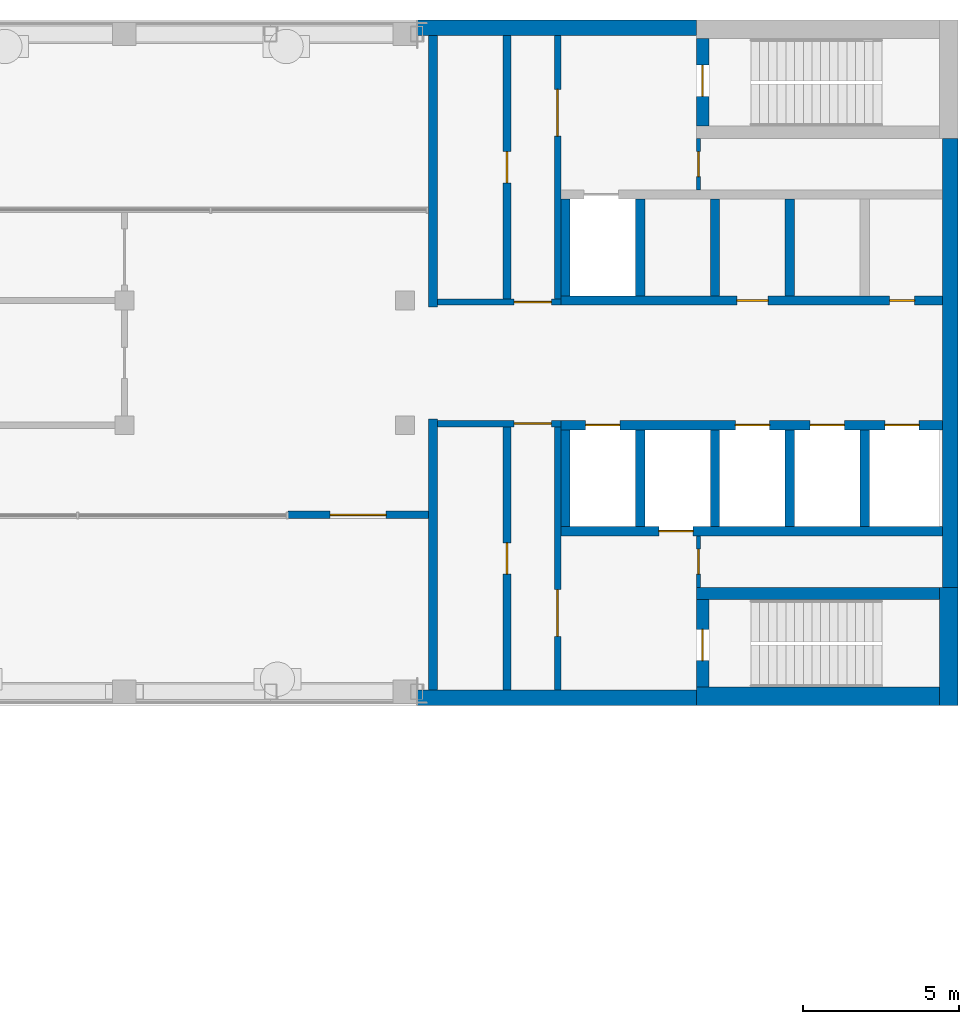
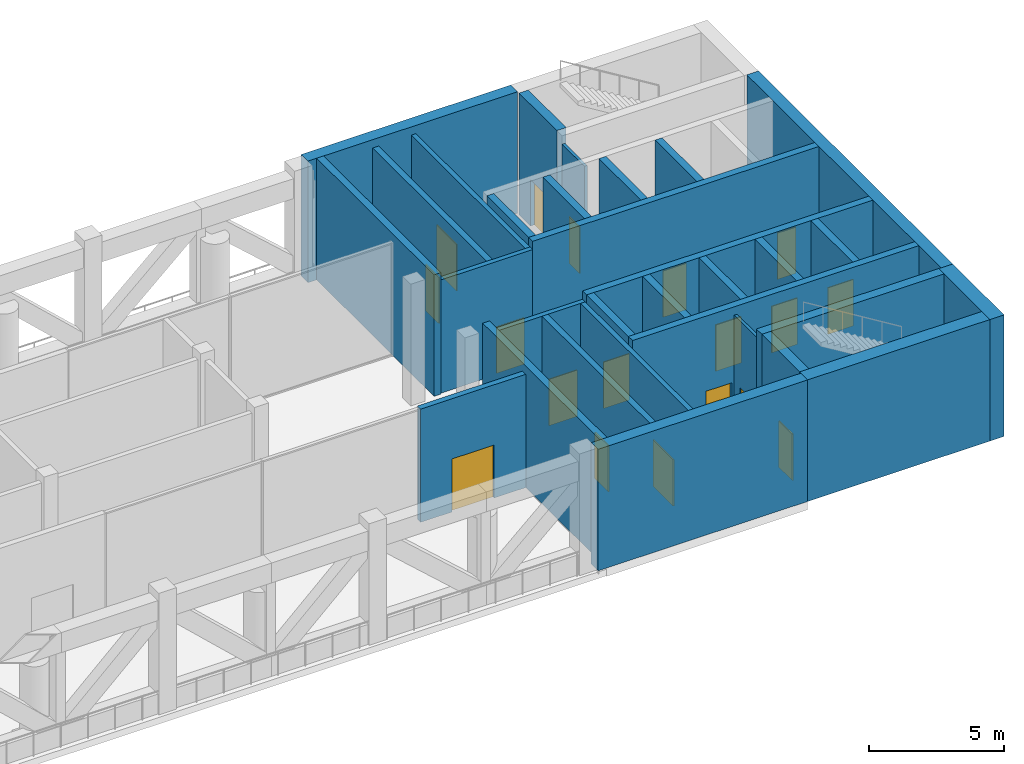
# One storey, part 9 of 14: 31 walls, 18 doors, 18 openings.
"""IFC4 building model written with IfcOpenShell, lengths in metres."""

from ifc_helpers import new_model, si_unit, direction, frame, frame_2d, origin, place, context, subcontext, project, spatial, rectangle, extrude, material, layer, layer_set, type_object, element, fill, save


model = new_model("IFC4")

# Units and contexts
model_context = context("Model", 3, precision=1e-05, world=origin(), true_north=direction((0.0, 1.0)))
body_context = subcontext(model_context, "Body", "Model", "MODEL_VIEW")
ifc_project = project(units=[si_unit("LENGTHUNIT", "METRE"), si_unit("AREAUNIT", "SQUARE_METRE"), si_unit("VOLUMEUNIT", "CUBIC_METRE"), si_unit("PLANEANGLEUNIT", "RADIAN"), si_unit("MASSUNIT", "GRAM", prefix="KILO")], contexts=[model_context])

# Site, building, storey
site_placement = place(None, origin())
site = spatial("IfcSite", under=ifc_project, at=site_placement, CompositionType="ELEMENT")
building_placement = place(site_placement, origin())
building = spatial("IfcBuilding", under=site, at=building_placement, Name="Skarvind Civic Tower", CompositionType="ELEMENT")
storey_placement = place(building_placement, frame((0.0, 0.0, 236.0)))
storey = spatial("IfcBuildingStorey", under=building, at=storey_placement, Name="L56", CompositionType="ELEMENT", Elevation=236.0)

# Wall, opening, door
ifc_material_1 = material(Name="Fire-rated masonry partition", Category="masonry")
ifc_layer_1 = layer(ifc_material_1, 0.199951171875)
ifc_layer_set_1 = layer_set([ifc_layer_1], Name="Core enclosure wall 200")
wall_type_1 = type_object("IfcWallType", Name="Core enclosure wall 200", PredefinedType="PARTITIONING", material=ifc_layer_set_1)
wall_1_placement = place(storey_placement, frame((95.25, 126.050048828125, 0.0), z_axis=(0.0, 0.0, 1.0), x_axis=(-1.0, 0.0, 0.0)))
wall_1 = element("IfcWall", 1, at=wall_1_placement, inside=storey, type_object=wall_type_1, Name="Core wall C1", PredefinedType="PARTITIONING", context=body_context, shape_type="SweptSolid", body=[
    extrude(rectangle(XDim=3.949951171875, YDim=0.199951171875, at=frame_2d((1.97509765625, 0.0))), origin(), (0.0, 0.0, 1.0), 5.125),
])
opening_1_placement = place(wall_1_placement, frame((0.300048828125, 0.0, 0.0)))
opening_1 = element("IfcOpeningElement", 2, at=opening_1_placement, cuts=wall_1, Name="Opening D-L56-C1-07", PredefinedType="OPENING", context=body_context, shape_type="SweptSolid", body=[
    extrude(rectangle(XDim=1.199951171875, YDim=2.10009765625, at=frame_2d((0.60009765625, 1.050048828125))), frame((0.0, 0.10986328125, 0.0), z_axis=(0.0, -1.0, 0.0), x_axis=(1.0, 0.0, 0.0)), (0.0, 0.0, 1.0), 0.219970703125),
])
ifc_material_2 = material(Name="Fire-rated steel door", Category="steel")
door_type_1 = type_object("IfcDoorType", Name="Core lobby door 1200", OperationType="NOTDEFINED", PredefinedType="DOOR", material=ifc_material_2)
door_1_placement = place(opening_1_placement, origin())
door_1 = element("IfcDoor", 3, at=door_1_placement, inside=storey, type_object=door_type_1, Name="Fire door", OperationType="DOUBLE_DOOR_SINGLE_SWING", OverallHeight=2.10009765625, OverallWidth=1.199951171875, PredefinedType="DOOR", context=body_context, shape_type="SweptSolid", body=[
    extrude(rectangle(XDim=1.199951171875, YDim=2.10009765625, at=frame_2d((0.60009765625, 1.050048828125))), frame((0.0, 0.02490234375, 0.0), z_axis=(0.0, -1.0, 0.0), x_axis=(1.0, 0.0, 0.0)), (0.0, 0.0, 1.0), 0.050048828125),
])
fill(opening_1, door_1)

wall_2_placement = place(storey_placement, frame((95.14990234375, 117.5, 0.0), z_axis=(0.0, 0.0, 1.0), x_axis=(0.0, 1.0, 0.0)))
wall_2 = element("IfcWall", 4, at=wall_2_placement, inside=storey, type_object=wall_type_1, Name="Core wall C1", PredefinedType="PARTITIONING", context=body_context, shape_type="SweptSolid", body=[
    extrude(rectangle(XDim=8.449951171875, YDim=0.199951171875, at=frame_2d((4.22509765625, 0.0))), origin(), (0.0, 0.0, 1.0), 5.125),
])
opening_2_placement = place(wall_2_placement, frame((1.72509765625, 0.0, 0.0)))
opening_2 = element("IfcOpeningElement", 5, at=opening_2_placement, cuts=wall_2, Name="Opening D-L56-C1-08", PredefinedType="OPENING", context=body_context, shape_type="SweptSolid", body=[
    extrude(rectangle(XDim=1.5, YDim=2.10009765625, at=frame_2d((0.75, 1.050048828125))), frame((0.0, 0.10986328125, 0.0), z_axis=(0.0, -1.0, 0.0), x_axis=(1.0, 0.0, 0.0)), (0.0, 0.0, 1.0), 0.219970703125),
])
door_type_2 = type_object("IfcDoorType", Name="Fire door 1500", OperationType="NOTDEFINED", PredefinedType="DOOR", material=ifc_material_2)
door_2_placement = place(opening_2_placement, origin())
door_2 = element("IfcDoor", 6, at=door_2_placement, inside=storey, type_object=door_type_2, Name="Fire door", OperationType="DOUBLE_DOOR_SINGLE_SWING", OverallHeight=2.10009765625, OverallWidth=1.5, PredefinedType="DOOR", context=body_context, shape_type="SweptSolid", body=[
    extrude(rectangle(XDim=1.5, YDim=2.10009765625, at=frame_2d((0.75, 1.050048828125))), frame((0.0, 0.02490234375, 0.0), z_axis=(0.0, -1.0, 0.0), x_axis=(1.0, 0.0, 0.0)), (0.0, 0.0, 1.0), 0.050048828125),
])
fill(opening_2, door_2)

wall_3_placement = place(storey_placement, frame((91.300048828125, 129.949951171875, 0.0), z_axis=(0.0, 0.0, 1.0), x_axis=(1.0, 0.0, 0.0)))
wall_3 = element("IfcWall", 7, at=wall_3_placement, inside=storey, type_object=wall_type_1, Name="Core wall C1", PredefinedType="PARTITIONING", context=body_context, shape_type="SweptSolid", body=[
    extrude(rectangle(XDim=3.949951171875, YDim=0.199951171875, at=frame_2d((1.97509765625, 0.0))), origin(), (0.0, 0.0, 1.0), 5.125),
])
opening_3_placement = place(wall_3_placement, frame((2.449951171875, 0.0, 0.0)))
opening_3 = element("IfcOpeningElement", 8, at=opening_3_placement, cuts=wall_3, Name="Opening D-L56-C1-12", PredefinedType="OPENING", context=body_context, shape_type="SweptSolid", body=[
    extrude(rectangle(XDim=1.199951171875, YDim=2.10009765625, at=frame_2d((0.60009765625, 1.050048828125))), frame((0.0, 0.10986328125, 0.0), z_axis=(0.0, -1.0, 0.0), x_axis=(1.0, 0.0, 0.0)), (0.0, 0.0, 1.0), 0.219970703125),
])
door_3_placement = place(opening_3_placement, origin())
door_3 = element("IfcDoor", 9, at=door_3_placement, inside=storey, type_object=door_type_1, Name="Fire door", OperationType="DOUBLE_DOOR_SINGLE_SWING", OverallHeight=2.10009765625, OverallWidth=1.199951171875, PredefinedType="DOOR", context=body_context, shape_type="SweptSolid", body=[
    extrude(rectangle(XDim=1.199951171875, YDim=2.10009765625, at=frame_2d((0.60009765625, 1.050048828125))), frame((0.0, 0.02490234375, 0.0), z_axis=(0.0, -1.0, 0.0), x_axis=(1.0, 0.0, 0.0)), (0.0, 0.0, 1.0), 0.050048828125),
])
fill(opening_3, door_3)

wall_4_placement = place(storey_placement, frame((95.14990234375, 130.050048828125, 0.0), z_axis=(0.0, 0.0, 1.0), x_axis=(0.0, 1.0, 0.0)))
wall_4 = element("IfcWall", 10, at=wall_4_placement, inside=storey, type_object=wall_type_1, Name="Core wall C1", PredefinedType="PARTITIONING", context=body_context, shape_type="SweptSolid", body=[
    extrude(rectangle(XDim=8.449951171875, YDim=0.199951171875, at=frame_2d((4.22509765625, 0.0))), origin(), (0.0, 0.0, 1.0), 5.125),
])
opening_4_placement = place(wall_4_placement, frame((5.22509765625, 0.0, 0.0)))
opening_4 = element("IfcOpeningElement", 11, at=opening_4_placement, cuts=wall_4, Name="Opening D-L56-C1-13", PredefinedType="OPENING", context=body_context, shape_type="SweptSolid", body=[
    extrude(rectangle(XDim=1.5, YDim=2.10009765625, at=frame_2d((0.75, 1.050048828125))), frame((0.0, 0.10986328125, 0.0), z_axis=(0.0, -1.0, 0.0), x_axis=(1.0, 0.0, 0.0)), (0.0, 0.0, 1.0), 0.219970703125),
])
door_4_placement = place(opening_4_placement, origin())
door_4 = element("IfcDoor", 12, at=door_4_placement, inside=storey, type_object=door_type_2, Name="Fire door", OperationType="DOUBLE_DOOR_SINGLE_SWING", OverallHeight=2.10009765625, OverallWidth=1.5, PredefinedType="DOOR", context=body_context, shape_type="SweptSolid", body=[
    extrude(rectangle(XDim=1.5, YDim=2.10009765625, at=frame_2d((0.75, 1.050048828125))), frame((0.0, 0.02490234375, 0.0), z_axis=(0.0, -1.0, 0.0), x_axis=(1.0, 0.0, 0.0)), (0.0, 0.0, 1.0), 0.050048828125),
])
fill(opening_4, door_4)

# Wall, openings, doors
ifc_material_3 = material(Name="Concrete C60", Category="concrete")
ifc_layer_2 = layer(ifc_material_3, 0.300048828125)
ifc_layer_set_2 = layer_set([ifc_layer_2], Name="Core wall 300 C60")
wall_type_2 = type_object("IfcWallType", Name="Core wall 300 C60", PredefinedType="SHEAR", material=ifc_layer_set_2)
wall_5_placement = place(storey_placement, frame((107.5, 130.0, 0.0), z_axis=(0.0, 0.0, 1.0), x_axis=(-1.0, 0.0, 0.0)))
wall_5 = element("IfcWall", 13, at=wall_5_placement, inside=storey, type_object=wall_type_2, Name="Core wall C1 south lift row front L56", PredefinedType="SHEAR", context=body_context, shape_type="SweptSolid", body=[
    extrude(rectangle(XDim=12.25, YDim=0.300048828125, at=frame_2d((6.125, 0.0))), origin(), (0.0, 0.0, 1.0), 5.5),
])
opening_5_placement = place(wall_5_placement, frame((0.89990234375, 0.0, 0.0)))
opening_5 = element("IfcOpeningElement", 14, at=opening_5_placement, cuts=wall_5, Name="Opening D-L56-C1-05", PredefinedType="OPENING", context=body_context, shape_type="SweptSolid", body=[
    extrude(rectangle(XDim=0.800048828125, YDim=2.10009765625, at=frame_2d((0.39990234375, 1.050048828125))), frame((0.0, 0.159912109375, 0.0), z_axis=(0.0, -1.0, 0.0), x_axis=(1.0, 0.0, 0.0)), (0.0, 0.0, 1.0), 0.320068359375),
])
opening_6_placement = place(wall_5_placement, frame((5.60009765625, 0.0, 0.0)))
opening_6 = element("IfcOpeningElement", 15, at=opening_6_placement, cuts=wall_5, Name="Opening D-L56-C1-06", PredefinedType="OPENING", context=body_context, shape_type="SweptSolid", body=[
    extrude(rectangle(XDim=1.0, YDim=2.10009765625, at=frame_2d((0.5, 1.050048828125))), frame((0.0, 0.159912109375, 0.0), z_axis=(0.0, -1.0, 0.0), x_axis=(1.0, 0.0, 0.0)), (0.0, 0.0, 1.0), 0.320068359375),
])
door_type_3 = type_object("IfcDoorType", Name="Core riser door 800", OperationType="NOTDEFINED", PredefinedType="DOOR", material=ifc_material_2)
door_5_placement = place(opening_5_placement, origin())
door_5 = element("IfcDoor", 16, at=door_5_placement, inside=storey, type_object=door_type_3, Name="Riser door", OperationType="SINGLE_SWING_LEFT", OverallHeight=2.10009765625, OverallWidth=0.800048828125, PredefinedType="DOOR", context=body_context, shape_type="SweptSolid", body=[
    extrude(rectangle(XDim=0.800048828125, YDim=2.10009765625, at=frame_2d((0.39990234375, 1.050048828125))), frame((0.0, 0.02490234375, 0.0), z_axis=(0.0, -1.0, 0.0), x_axis=(1.0, 0.0, 0.0)), (0.0, 0.0, 1.0), 0.050048828125),
])
fill(opening_5, door_5)
door_type_4 = type_object("IfcDoorType", Name="Fire door 1000", OperationType="NOTDEFINED", PredefinedType="DOOR", material=ifc_material_2)
door_6_placement = place(opening_6_placement, origin())
door_6 = element("IfcDoor", 17, at=door_6_placement, inside=storey, type_object=door_type_4, Name="Fire door", OperationType="SINGLE_SWING_RIGHT", OverallHeight=2.10009765625, OverallWidth=1.0, PredefinedType="DOOR", context=body_context, shape_type="SweptSolid", body=[
    extrude(rectangle(XDim=1.0, YDim=2.10009765625, at=frame_2d((0.5, 1.050048828125))), frame((0.0, 0.02490234375, 0.0), z_axis=(0.0, -1.0, 0.0), x_axis=(1.0, 0.0, 0.0)), (0.0, 0.0, 1.0), 0.050048828125),
])
fill(opening_6, door_6)

# Walls
for number, where, z_axis, x_axis, name in (
    (18, (102.60009765625, 133.25, 0.0), (0.0, 0.0, 1.0), (0.0, -1.0, 0.0), "Core wall C1 south lift row division 2 L56"),
    (19, (100.199951171875, 133.25, 0.0), (0.0, 0.0, 1.0), (0.0, -1.0, 0.0), "Core wall C1 south lift row division 3 L56"),
    (20, (97.800048828125, 133.25, 0.0), (0.0, 0.0, 1.0), (0.0, -1.0, 0.0), "Core wall C1 south lift row division 4 L56"),
    (21, (95.39990234375, 133.25, 0.0), (0.0, 0.0, 1.0), (0.0, -1.0, 0.0), "Core wall C1 south lift row division 5 L56"),
):
    element("IfcWall", number, at=place(storey_placement, frame(where, z_axis=z_axis, x_axis=x_axis)), inside=storey, type_object=wall_type_2, Name=name, PredefinedType="SHEAR", context=body_context, shape_type="SweptSolid", body=[
        extrude(rectangle(XDim=3.10009765625, YDim=0.300048828125, at=frame_2d((1.550048828125, 0.0))), origin(), (0.0, 0.0, 1.0), 5.5),
    ])

# Wall, openings, doors
wall_6_placement = place(storey_placement, frame((107.5, 126.0, 0.0), z_axis=(0.0, 0.0, 1.0), x_axis=(-1.0, 0.0, 0.0)))
wall_6 = element("IfcWall", 22, at=wall_6_placement, inside=storey, type_object=wall_type_2, Name="Core wall C1 north lift row front L56", PredefinedType="SHEAR", context=body_context, shape_type="SweptSolid", body=[
    extrude(rectangle(XDim=12.25, YDim=0.300048828125, at=frame_2d((6.125, 0.0))), origin(), (0.0, 0.0, 1.0), 5.5),
])
opening_7_placement = place(wall_6_placement, frame((0.75, 0.0, 0.0)))
opening_7 = element("IfcOpeningElement", 23, at=opening_7_placement, cuts=wall_6, Name="Opening LD58101", PredefinedType="OPENING", context=body_context, shape_type="SweptSolid", body=[
    extrude(rectangle(XDim=1.10009765625, YDim=2.10009765625, at=frame_2d((0.550048828125, 1.050048828125))), frame((0.0, 0.159912109375, 0.0), z_axis=(0.0, -1.0, 0.0), x_axis=(1.0, 0.0, 0.0)), (0.0, 0.0, 1.0), 0.320068359375),
])
opening_8_placement = place(wall_6_placement, frame((3.14990234375, 0.0, 0.0)))
opening_8 = element("IfcOpeningElement", 24, at=opening_8_placement, cuts=wall_6, Name="Opening LD58102", PredefinedType="OPENING", context=body_context, shape_type="SweptSolid", body=[
    extrude(rectangle(XDim=1.10009765625, YDim=2.10009765625, at=frame_2d((0.550048828125, 1.050048828125))), frame((0.0, 0.159912109375, 0.0), z_axis=(0.0, -1.0, 0.0), x_axis=(1.0, 0.0, 0.0)), (0.0, 0.0, 1.0), 0.320068359375),
])
opening_9_placement = place(wall_6_placement, frame((5.550048828125, 0.0, 0.0)))
opening_9 = element("IfcOpeningElement", 25, at=opening_9_placement, cuts=wall_6, Name="Opening LD58103", PredefinedType="OPENING", context=body_context, shape_type="SweptSolid", body=[
    extrude(rectangle(XDim=1.10009765625, YDim=2.10009765625, at=frame_2d((0.550048828125, 1.050048828125))), frame((0.0, 0.159912109375, 0.0), z_axis=(0.0, -1.0, 0.0), x_axis=(1.0, 0.0, 0.0)), (0.0, 0.0, 1.0), 0.320068359375),
])
opening_10_placement = place(wall_6_placement, frame((10.35009765625, 0.0, 0.0)))
opening_10 = element("IfcOpeningElement", 26, at=opening_10_placement, cuts=wall_6, Name="Opening LD58105", PredefinedType="OPENING", context=body_context, shape_type="SweptSolid", body=[
    extrude(rectangle(XDim=1.10009765625, YDim=2.10009765625, at=frame_2d((0.550048828125, 1.050048828125))), frame((0.0, 0.159912109375, 0.0), z_axis=(0.0, -1.0, 0.0), x_axis=(1.0, 0.0, 0.0)), (0.0, 0.0, 1.0), 0.320068359375),
])
ifc_material_4 = material(Name="Stainless steel landing door", Category="steel")
door_type_5 = type_object("IfcDoorType", Name="Lift landing door 1100", OperationType="DOUBLE_DOOR_SLIDING", PredefinedType="DOOR", material=ifc_material_4)
door_7_placement = place(opening_7_placement, origin())
door_7 = element("IfcDoor", 27, at=door_7_placement, inside=storey, type_object=door_type_5, Name="Lift landing door", OperationType="DOUBLE_DOOR_SLIDING", OverallHeight=2.10009765625, OverallWidth=1.10009765625, PredefinedType="DOOR", context=body_context, shape_type="SweptSolid", body=[
    extrude(rectangle(XDim=1.10009765625, YDim=2.10009765625, at=frame_2d((0.550048828125, 1.050048828125))), frame((0.0, 0.02490234375, 0.0), z_axis=(0.0, -1.0, 0.0), x_axis=(1.0, 0.0, 0.0)), (0.0, 0.0, 1.0), 0.050048828125),
])
fill(opening_7, door_7)
door_8_placement = place(opening_8_placement, origin())
door_8 = element("IfcDoor", 28, at=door_8_placement, inside=storey, type_object=door_type_5, Name="Lift landing door", OperationType="DOUBLE_DOOR_SLIDING", OverallHeight=2.10009765625, OverallWidth=1.10009765625, PredefinedType="DOOR", context=body_context, shape_type="SweptSolid", body=[
    extrude(rectangle(XDim=1.10009765625, YDim=2.10009765625, at=frame_2d((0.550048828125, 1.050048828125))), frame((0.0, 0.02490234375, 0.0), z_axis=(0.0, -1.0, 0.0), x_axis=(1.0, 0.0, 0.0)), (0.0, 0.0, 1.0), 0.050048828125),
])
fill(opening_8, door_8)
door_9_placement = place(opening_9_placement, origin())
door_9 = element("IfcDoor", 29, at=door_9_placement, inside=storey, type_object=door_type_5, Name="Lift landing door", OperationType="DOUBLE_DOOR_SLIDING", OverallHeight=2.10009765625, OverallWidth=1.10009765625, PredefinedType="DOOR", context=body_context, shape_type="SweptSolid", body=[
    extrude(rectangle(XDim=1.10009765625, YDim=2.10009765625, at=frame_2d((0.550048828125, 1.050048828125))), frame((0.0, 0.02490234375, 0.0), z_axis=(0.0, -1.0, 0.0), x_axis=(1.0, 0.0, 0.0)), (0.0, 0.0, 1.0), 0.050048828125),
])
fill(opening_9, door_9)
door_10_placement = place(opening_10_placement, origin())
door_10 = element("IfcDoor", 30, at=door_10_placement, inside=storey, type_object=door_type_5, Name="Lift landing door", OperationType="DOUBLE_DOOR_SLIDING", OverallHeight=2.10009765625, OverallWidth=1.10009765625, PredefinedType="DOOR", context=body_context, shape_type="SweptSolid", body=[
    extrude(rectangle(XDim=1.10009765625, YDim=2.10009765625, at=frame_2d((0.550048828125, 1.050048828125))), frame((0.0, 0.02490234375, 0.0), z_axis=(0.0, -1.0, 0.0), x_axis=(1.0, 0.0, 0.0)), (0.0, 0.0, 1.0), 0.050048828125),
])
fill(opening_10, door_10)

# Wall, opening, door
wall_7_placement = place(storey_placement, frame((107.5, 122.60009765625, 0.0), z_axis=(0.0, 0.0, 1.0), x_axis=(-1.0, 0.0, 0.0)))
wall_7 = element("IfcWall", 31, at=wall_7_placement, inside=storey, type_object=wall_type_2, Name="Core wall C1 north lift row back L56", PredefinedType="SHEAR", context=body_context, shape_type="SweptSolid", body=[
    extrude(rectangle(XDim=12.25, YDim=0.300048828125, at=frame_2d((6.125, 0.0))), origin(), (0.0, 0.0, 1.0), 5.5),
])
opening_11_placement = place(wall_7_placement, frame((8.0, 0.0, 0.0)))
opening_11 = element("IfcOpeningElement", 32, at=opening_11_placement, cuts=wall_7, Name="Opening LD58104", PredefinedType="OPENING", context=body_context, shape_type="SweptSolid", body=[
    extrude(rectangle(XDim=1.10009765625, YDim=2.10009765625, at=frame_2d((0.550048828125, 1.050048828125))), frame((0.0, 0.159912109375, 0.0), z_axis=(0.0, -1.0, 0.0), x_axis=(1.0, 0.0, 0.0)), (0.0, 0.0, 1.0), 0.320068359375),
])
door_11_placement = place(opening_11_placement, origin())
door_11 = element("IfcDoor", 33, at=door_11_placement, inside=storey, type_object=door_type_5, Name="Lift landing door", OperationType="DOUBLE_DOOR_SLIDING", OverallHeight=2.10009765625, OverallWidth=1.10009765625, PredefinedType="DOOR", context=body_context, shape_type="SweptSolid", body=[
    extrude(rectangle(XDim=1.10009765625, YDim=2.10009765625, at=frame_2d((0.550048828125, 1.050048828125))), frame((0.0, 0.02490234375, 0.0), z_axis=(0.0, -1.0, 0.0), x_axis=(1.0, 0.0, 0.0)), (0.0, 0.0, 1.0), 0.050048828125),
])
fill(opening_11, door_11)

# Walls
for number, where, z_axis, x_axis, name in (
    (34, (105.0, 125.85009765625, 0.0), (0.0, 0.0, 1.0), (0.0, -1.0, 0.0), "Core wall C1 north lift row division 1 L56"),
    (35, (102.60009765625, 125.85009765625, 0.0), (0.0, 0.0, 1.0), (0.0, -1.0, 0.0), "Core wall C1 north lift row division 2 L56"),
    (36, (100.199951171875, 125.85009765625, 0.0), (0.0, 0.0, 1.0), (0.0, -1.0, 0.0), "Core wall C1 north lift row division 3 L56"),
    (37, (97.800048828125, 125.85009765625, 0.0), (0.0, 0.0, 1.0), (0.0, -1.0, 0.0), "Core wall C1 north lift row division 4 L56"),
    (38, (95.39990234375, 125.85009765625, 0.0), (0.0, 0.0, 1.0), (0.0, -1.0, 0.0), "Core wall C1 north lift row division 5 L56"),
):
    element("IfcWall", number, at=place(storey_placement, frame(where, z_axis=z_axis, x_axis=x_axis)), inside=storey, type_object=wall_type_2, Name=name, PredefinedType="SHEAR", context=body_context, shape_type="SweptSolid", body=[
        extrude(rectangle(XDim=3.10009765625, YDim=0.300048828125, at=frame_2d((1.550048828125, 0.0))), origin(), (0.0, 0.0, 1.0), 5.5),
    ])
for number, where, z_axis, x_axis, name in (
    (39, (91.14990234375, 138.5, 0.0), (0.0, 0.0, 1.0), (0.0, -1.0, 0.0), "Core wall C1 south inner face L56"),
    (40, (91.14990234375, 126.199951171875, 0.0), (0.0, 0.0, 1.0), (0.0, -1.0, 0.0), "Core wall C1 north inner face L56"),
):
    element("IfcWall", number, at=place(storey_placement, frame(where, z_axis=z_axis, x_axis=x_axis)), inside=storey, type_object=wall_type_2, Name=name, PredefinedType="SHEAR", context=body_context, shape_type="SweptSolid", body=[
        extrude(rectangle(XDim=8.699951171875, YDim=0.300048828125, at=frame_2d((4.35009765625, 0.0))), origin(), (0.0, 0.0, 1.0), 5.5),
    ])

# Wall, opening, door
ifc_layer_3 = layer(ifc_material_3, 0.39990234375)
ifc_layer_set_3 = layer_set([ifc_layer_3], Name="Core wall 400 C60")
wall_type_3 = type_object("IfcWallType", Name="Core wall 400 C60", PredefinedType="SHEAR", material=ifc_layer_set_3)
wall_8_placement = place(storey_placement, frame((99.800048828125, 138.39990234375, 0.0), z_axis=(0.0, 0.0, 1.0), x_axis=(0.0, -1.0, 0.0)))
wall_8 = element("IfcWall", 41, at=wall_8_placement, inside=storey, type_object=wall_type_3, Name="Core wall C1 south stair end L56", PredefinedType="SHEAR", context=body_context, shape_type="SweptSolid", body=[
    extrude(rectangle(XDim=2.7998046875, YDim=0.39990234375, at=frame_2d((1.39990234375, 0.0))), origin(), (0.0, 0.0, 1.0), 5.5),
])
opening_12_placement = place(wall_8_placement, frame((0.85009765625, 0.0, 0.0)))
opening_12 = element("IfcOpeningElement", 42, at=opening_12_placement, cuts=wall_8, Name="Opening D-L56-C1-14", PredefinedType="OPENING", context=body_context, shape_type="SweptSolid", body=[
    extrude(rectangle(XDim=1.0, YDim=2.10009765625, at=frame_2d((0.5, 1.050048828125))), frame((0.0, 0.2099609375, 0.0), z_axis=(0.0, -1.0, 0.0), x_axis=(1.0, 0.0, 0.0)), (0.0, 0.0, 1.0), 0.419921875),
])
door_12_placement = place(opening_12_placement, origin())
door_12 = element("IfcDoor", 43, at=door_12_placement, inside=storey, type_object=door_type_4, Name="Fire door", OperationType="SINGLE_SWING_RIGHT", OverallHeight=2.10009765625, OverallWidth=1.0, PredefinedType="DOOR", context=body_context, shape_type="SweptSolid", body=[
    extrude(rectangle(XDim=1.0, YDim=2.10009765625, at=frame_2d((0.5, 1.050048828125))), frame((0.0, 0.02490234375, 0.0), z_axis=(0.0, -1.0, 0.0), x_axis=(1.0, 0.0, 0.0)), (0.0, 0.0, 1.0), 0.050048828125),
])
fill(opening_12, door_12)

# Wall
wall_9_placement = place(storey_placement, frame((107.39990234375, 120.60009765625, 0.0), z_axis=(0.0, 0.0, 1.0), x_axis=(-1.0, 0.0, 0.0)))
element("IfcWall", 44, at=wall_9_placement, inside=storey, type_object=wall_type_3, Name="Core wall C1 north stair inner L56", PredefinedType="SHEAR", context=body_context, shape_type="SweptSolid", body=[
    extrude(rectangle(XDim=7.7998046875, YDim=0.39990234375, at=frame_2d((3.89990234375, 0.0))), origin(), (0.0, 0.0, 1.0), 5.5),
])

# Wall, opening, door
wall_10_placement = place(storey_placement, frame((99.800048828125, 120.39990234375, 0.0), z_axis=(0.0, 0.0, 1.0), x_axis=(0.0, -1.0, 0.0)))
wall_10 = element("IfcWall", 45, at=wall_10_placement, inside=storey, type_object=wall_type_3, Name="Core wall C1 north stair end L56", PredefinedType="SHEAR", context=body_context, shape_type="SweptSolid", body=[
    extrude(rectangle(XDim=2.7998046875, YDim=0.39990234375, at=frame_2d((1.39990234375, 0.0))), origin(), (0.0, 0.0, 1.0), 5.5),
])
opening_13_placement = place(wall_10_placement, frame((0.949951171875, 0.0, 0.0)))
opening_13 = element("IfcOpeningElement", 46, at=opening_13_placement, cuts=wall_10, Name="Opening D-L56-C1-09", PredefinedType="OPENING", context=body_context, shape_type="SweptSolid", body=[
    extrude(rectangle(XDim=1.0, YDim=2.10009765625, at=frame_2d((0.5, 1.050048828125))), frame((0.0, 0.2099609375, 0.0), z_axis=(0.0, -1.0, 0.0), x_axis=(1.0, 0.0, 0.0)), (0.0, 0.0, 1.0), 0.419921875),
])
door_13_placement = place(opening_13_placement, origin())
door_13 = element("IfcDoor", 47, at=door_13_placement, inside=storey, type_object=door_type_4, Name="Fire door", OperationType="SINGLE_SWING_LEFT", OverallHeight=2.10009765625, OverallWidth=1.0, PredefinedType="DOOR", context=body_context, shape_type="SweptSolid", body=[
    extrude(rectangle(XDim=1.0, YDim=2.10009765625, at=frame_2d((0.5, 1.050048828125))), frame((0.0, 0.02490234375, 0.0), z_axis=(0.0, -1.0, 0.0), x_axis=(1.0, 0.0, 0.0)), (0.0, 0.0, 1.0), 0.050048828125),
])
fill(opening_13, door_13)

# Walls
ifc_layer_4 = layer(ifc_material_3, 0.5)
ifc_layer_set_4 = layer_set([ifc_layer_4], Name="Core wall 500 C60")
wall_type_4 = type_object("IfcWallType", Name="Core wall 500 C60", PredefinedType="SHEAR", material=ifc_layer_set_4)
wall_11_placement = place(storey_placement, frame((107.75, 135.199951171875, 0.0), z_axis=(0.0, 0.0, 1.0), x_axis=(0.0, -1.0, 0.0)))
element("IfcWall", 48, at=wall_11_placement, inside=storey, type_object=wall_type_4, Name="Core wall C1 tip between the stairs L56", PredefinedType="SHEAR", context=body_context, shape_type="SweptSolid", body=[
    extrude(rectangle(XDim=14.39990234375, YDim=0.5, at=frame_2d((7.199951171875, 0.0))), origin(), (0.0, 0.0, 1.0), 5.5),
])
for number, where, z_axis, x_axis, name in (
    (49, (99.60009765625, 138.75, 0.0), (0.0, 0.0, 1.0), (-1.0, 0.0, 0.0), "Core wall C1 south side L56"),
    (50, (99.60009765625, 117.25, 0.0), (0.0, 0.0, 1.0), (-1.0, 0.0, 0.0), "Core wall C1 north side L56"),
):
    element("IfcWall", number, at=place(storey_placement, frame(where, z_axis=z_axis, x_axis=x_axis)), inside=storey, type_object=wall_type_4, Name=name, PredefinedType="SHEAR", context=body_context, shape_type="SweptSolid", body=[
        extrude(rectangle(XDim=8.97509765625, YDim=0.5, at=frame_2d((4.487548828125, 0.0))), origin(), (0.0, 0.0, 1.0), 5.5),
    ])
ifc_layer_5 = layer(ifc_material_3, 0.60009765625)
ifc_layer_set_5 = layer_set([ifc_layer_5], Name="Core wall 600 C60")
wall_type_5 = type_object("IfcWallType", Name="Core wall 600 C60", PredefinedType="SHEAR", material=ifc_layer_set_5)
wall_12_placement = place(storey_placement, frame((107.699951171875, 120.800048828125, 0.0), z_axis=(0.0, 0.0, 1.0), x_axis=(0.0, -1.0, 0.0)))
element("IfcWall", 51, at=wall_12_placement, inside=storey, type_object=wall_type_5, Name="Core wall C1 tip at the north stair L56", PredefinedType="SHEAR", context=body_context, shape_type="SweptSolid", body=[
    extrude(rectangle(XDim=3.800048828125, YDim=0.60009765625, at=frame_2d((1.89990234375, 0.0))), origin(), (0.0, 0.0, 1.0), 5.5),
])
wall_13_placement = place(storey_placement, frame((107.39990234375, 117.300048828125, 0.0), z_axis=(0.0, 0.0, 1.0), x_axis=(-1.0, 0.0, 0.0)))
element("IfcWall", 52, at=wall_13_placement, inside=storey, type_object=wall_type_5, Name="Core wall C1 north side at the stair L56", PredefinedType="SHEAR", context=body_context, shape_type="SweptSolid", body=[
    extrude(rectangle(XDim=7.7998046875, YDim=0.60009765625, at=frame_2d((3.89990234375, 0.0))), origin(), (0.0, 0.0, 1.0), 5.5),
])

# Wall, opening, door
ifc_layer_6 = layer(ifc_material_1, 0.125)
ifc_layer_set_6 = layer_set([ifc_layer_6], Name="Riser wall 125")
wall_type_6 = type_object("IfcWallType", Name="Riser wall 125", PredefinedType="PARTITIONING", material=ifc_layer_set_6)
wall_14_placement = place(storey_placement, frame((99.66259765625, 120.800048828125, 0.0), z_axis=(0.0, 0.0, 1.0), x_axis=(0.0, 1.0, 0.0)))
wall_14 = element("IfcWall", 53, at=wall_14_placement, inside=storey, type_object=wall_type_6, Name="Core wall C1", PredefinedType="PARTITIONING", context=body_context, shape_type="SweptSolid", body=[
    extrude(rectangle(XDim=1.64990234375, YDim=0.125, at=frame_2d((0.824951171875, 0.0))), origin(), (0.0, 0.0, 1.0), 5.125),
])
opening_14_placement = place(wall_14_placement, frame((0.425048828125, 0.0, 0.0)))
opening_14 = element("IfcOpeningElement", 54, at=opening_14_placement, cuts=wall_14, Name="Opening D-L56-C1-10", PredefinedType="OPENING", context=body_context, shape_type="SweptSolid", body=[
    extrude(rectangle(XDim=0.800048828125, YDim=2.10009765625, at=frame_2d((0.39990234375, 1.050048828125))), frame((0.0, 0.072509765625, 0.0), z_axis=(0.0, -1.0, 0.0), x_axis=(1.0, 0.0, 0.0)), (0.0, 0.0, 1.0), 0.14501953125),
])
door_14_placement = place(opening_14_placement, origin())
door_14 = element("IfcDoor", 55, at=door_14_placement, inside=storey, type_object=door_type_3, Name="Riser door", OperationType="SINGLE_SWING_RIGHT", OverallHeight=2.10009765625, OverallWidth=0.800048828125, PredefinedType="DOOR", context=body_context, shape_type="SweptSolid", body=[
    extrude(rectangle(XDim=0.800048828125, YDim=2.10009765625, at=frame_2d((0.39990234375, 1.050048828125))), frame((0.0, 0.02490234375, 0.0), z_axis=(0.0, -1.0, 0.0), x_axis=(1.0, 0.0, 0.0)), (0.0, 0.0, 1.0), 0.050048828125),
])
fill(opening_14, door_14)

wall_15_placement = place(storey_placement, frame((99.66259765625, 133.550048828125, 0.0), z_axis=(0.0, 0.0, 1.0), x_axis=(0.0, 1.0, 0.0)))
wall_15 = element("IfcWall", 56, at=wall_15_placement, inside=storey, type_object=wall_type_6, Name="Core wall C1", PredefinedType="PARTITIONING", context=body_context, shape_type="SweptSolid", body=[
    extrude(rectangle(XDim=1.64990234375, YDim=0.125, at=frame_2d((0.824951171875, 0.0))), origin(), (0.0, 0.0, 1.0), 5.125),
])
opening_15_placement = place(wall_15_placement, frame((0.425048828125, 0.0, 0.0)))
opening_15 = element("IfcOpeningElement", 57, at=opening_15_placement, cuts=wall_15, Name="Opening D-L56-C1-15", PredefinedType="OPENING", context=body_context, shape_type="SweptSolid", body=[
    extrude(rectangle(XDim=0.800048828125, YDim=2.10009765625, at=frame_2d((0.39990234375, 1.050048828125))), frame((0.0, 0.072509765625, 0.0), z_axis=(0.0, -1.0, 0.0), x_axis=(1.0, 0.0, 0.0)), (0.0, 0.0, 1.0), 0.14501953125),
])
door_15_placement = place(opening_15_placement, origin())
door_15 = element("IfcDoor", 58, at=door_15_placement, inside=storey, type_object=door_type_3, Name="Riser door", OperationType="SINGLE_SWING_LEFT", OverallHeight=2.10009765625, OverallWidth=0.800048828125, PredefinedType="DOOR", context=body_context, shape_type="SweptSolid", body=[
    extrude(rectangle(XDim=0.800048828125, YDim=2.10009765625, at=frame_2d((0.39990234375, 1.050048828125))), frame((0.0, 0.02490234375, 0.0), z_axis=(0.0, -1.0, 0.0), x_axis=(1.0, 0.0, 0.0)), (0.0, 0.0, 1.0), 0.050048828125),
])
fill(opening_15, door_15)

ifc_layer_7 = layer(ifc_material_1, 0.25)
ifc_layer_set_7 = layer_set([ifc_layer_7], Name="Service block wall 250")
wall_type_7 = type_object("IfcWallType", Name="Service block wall 250", PredefinedType="PARTITIONING", material=ifc_layer_set_7)
wall_16_placement = place(storey_placement, frame((93.52490234375, 117.5, 0.0), z_axis=(0.0, 0.0, 1.0), x_axis=(0.0, 1.0, 0.0)))
wall_16 = element("IfcWall", 59, at=wall_16_placement, inside=storey, type_object=wall_type_7, Name="Core wall C1", PredefinedType="PARTITIONING", context=body_context, shape_type="SweptSolid", body=[
    extrude(rectangle(XDim=8.449951171875, YDim=0.25, at=frame_2d((4.22509765625, 0.0))), origin(), (0.0, 0.0, 1.0), 5.125),
])
opening_16_placement = place(wall_16_placement, frame((3.72509765625, 0.0, 0.0)))
opening_16 = element("IfcOpeningElement", 60, at=opening_16_placement, cuts=wall_16, Name="Opening D-L56-C1-11", PredefinedType="OPENING", context=body_context, shape_type="SweptSolid", body=[
    extrude(rectangle(XDim=1.0, YDim=2.10009765625, at=frame_2d((0.5, 1.050048828125))), frame((0.0, 0.135009765625, 0.0), z_axis=(0.0, -1.0, 0.0), x_axis=(1.0, 0.0, 0.0)), (0.0, 0.0, 1.0), 0.27001953125),
])
door_16_placement = place(opening_16_placement, origin())
door_16 = element("IfcDoor", 61, at=door_16_placement, inside=storey, type_object=door_type_4, Name="Fire door", OperationType="SINGLE_SWING_LEFT", OverallHeight=2.10009765625, OverallWidth=1.0, PredefinedType="DOOR", context=body_context, shape_type="SweptSolid", body=[
    extrude(rectangle(XDim=1.0, YDim=2.10009765625, at=frame_2d((0.5, 1.050048828125))), frame((0.0, 0.02490234375, 0.0), z_axis=(0.0, -1.0, 0.0), x_axis=(1.0, 0.0, 0.0)), (0.0, 0.0, 1.0), 0.050048828125),
])
fill(opening_16, door_16)

wall_17_placement = place(storey_placement, frame((93.52490234375, 130.050048828125, 0.0), z_axis=(0.0, 0.0, 1.0), x_axis=(0.0, 1.0, 0.0)))
wall_17 = element("IfcWall", 62, at=wall_17_placement, inside=storey, type_object=wall_type_7, Name="Core wall C1", PredefinedType="PARTITIONING", context=body_context, shape_type="SweptSolid", body=[
    extrude(rectangle(XDim=8.449951171875, YDim=0.25, at=frame_2d((4.22509765625, 0.0))), origin(), (0.0, 0.0, 1.0), 5.125),
])
opening_17_placement = place(wall_17_placement, frame((3.72509765625, 0.0, 0.0)))
opening_17 = element("IfcOpeningElement", 63, at=opening_17_placement, cuts=wall_17, Name="Opening D-L56-C1-16", PredefinedType="OPENING", context=body_context, shape_type="SweptSolid", body=[
    extrude(rectangle(XDim=1.0, YDim=2.10009765625, at=frame_2d((0.5, 1.050048828125))), frame((0.0, 0.135009765625, 0.0), z_axis=(0.0, -1.0, 0.0), x_axis=(1.0, 0.0, 0.0)), (0.0, 0.0, 1.0), 0.27001953125),
])
door_17_placement = place(opening_17_placement, origin())
door_17 = element("IfcDoor", 64, at=door_17_placement, inside=storey, type_object=door_type_4, Name="Fire door", OperationType="SINGLE_SWING_RIGHT", OverallHeight=2.10009765625, OverallWidth=1.0, PredefinedType="DOOR", context=body_context, shape_type="SweptSolid", body=[
    extrude(rectangle(XDim=1.0, YDim=2.10009765625, at=frame_2d((0.5, 1.050048828125))), frame((0.0, 0.02490234375, 0.0), z_axis=(0.0, -1.0, 0.0), x_axis=(1.0, 0.0, 0.0)), (0.0, 0.0, 1.0), 0.050048828125),
])
fill(opening_17, door_17)

ifc_material_5 = material(Name="Limestone masonry cladding on insulated backing", Category="masonry")
ifc_layer_8 = layer(ifc_material_5, 0.239990234375)
ifc_layer_set_8 = layer_set([ifc_layer_8], Name="WX4 STONE DOOR PIER WALL 240")
wall_type_8 = type_object("IfcWallType", Name="WX4 STONE DOOR PIER WALL 240", PredefinedType="SOLIDWALL", material=ifc_layer_set_8)
wall_18_placement = place(storey_placement, frame((91.0, 123.1201171875, 0.0), z_axis=(0.0, 0.0, 1.0), x_axis=(-1.0, 0.0, 0.0)))
wall_18 = element("IfcWall", 65, at=wall_18_placement, inside=storey, type_object=wall_type_8, Name="STONE DOOR PIER WALL", PredefinedType="SOLIDWALL", context=body_context, shape_type="SweptSolid", body=[
    extrude(rectangle(XDim=4.5, YDim=0.239990234375, at=frame_2d((2.25, 0.0))), origin(), (0.0, 0.0, 1.0), 5.125),
])
opening_18_placement = place(wall_18_placement, frame((1.35009765625, 0.0, 0.0)))
opening_18 = element("IfcOpeningElement", 66, at=opening_18_placement, cuts=wall_18, Name="Opening DX3", PredefinedType="OPENING", context=body_context, shape_type="SweptSolid", body=[
    extrude(rectangle(XDim=1.800048828125, YDim=2.39990234375, at=frame_2d((0.89990234375, 1.199951171875))), frame((0.0, 0.1298828125, 0.0), z_axis=(0.0, -1.0, 0.0), x_axis=(1.0, 0.0, 0.0)), (0.0, 0.0, 1.0), 0.260009765625),
])
ifc_material_6 = material(Name="Timber and glass doorset", Category="wood")
door_type_6 = type_object("IfcDoorType", Name="DX3 TERRACE DOORS 1800 x 2400", OperationType="NOTDEFINED", PredefinedType="DOOR", material=ifc_material_6)
door_18_placement = place(opening_18_placement, origin())
door_18 = element("IfcDoor", 67, at=door_18_placement, inside=storey, type_object=door_type_6, Name="TERRACE DOORS", OperationType="DOUBLE_DOOR_SINGLE_SWING", OverallHeight=2.39990234375, OverallWidth=1.800048828125, PredefinedType="DOOR", context=body_context, shape_type="SweptSolid", body=[
    extrude(rectangle(XDim=1.800048828125, YDim=2.39990234375, at=frame_2d((0.89990234375, 1.199951171875))), frame((0.0, 0.02490234375, 0.0), z_axis=(0.0, -1.0, 0.0), x_axis=(1.0, 0.0, 0.0)), (0.0, 0.0, 1.0), 0.050048828125),
])
fill(opening_18, door_18)

save(model, "model.ifc")
